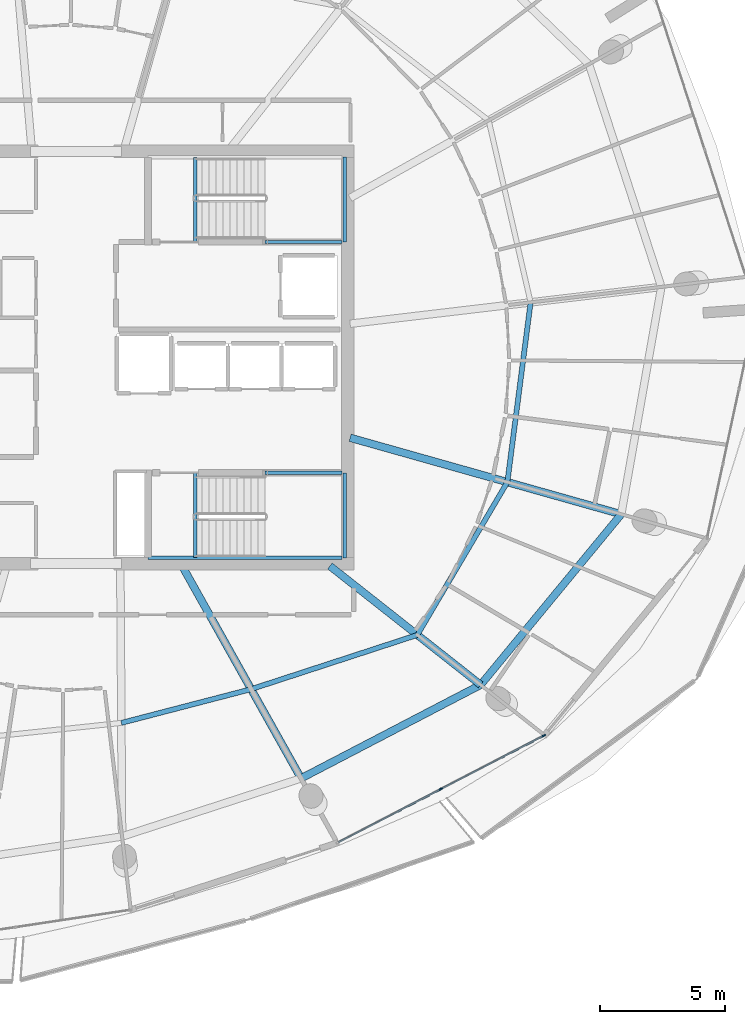
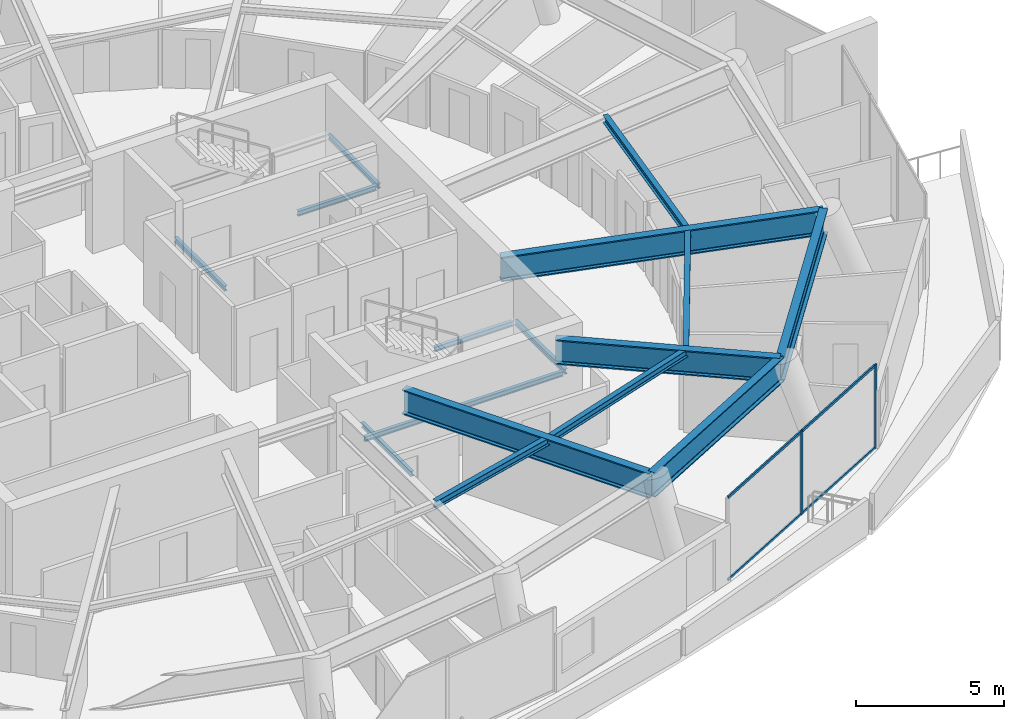
# One storey, part 8 of 24: 16 beams, 6 members, 1 element without a shape of its own.
"""IFC4 building model written with IfcOpenShell, lengths in metres."""

import ifcopenshell
import ifcopenshell.guid

model = None  # the IFC model being written
_history = None  # IfcOwnerHistory: only IFC2X3 demands one
_inside = {}  # id of a spatial element -> (the spatial element, [elements in it])
_under = {}  # id of a project, library or spatial element -> (it, [spatial elements below it])
_declared = {}  # id of a project -> (the project, [libraries it declares])
_typed = {}  # id of a type object -> (the type object, [elements of that type])
_made_of = {}  # id of a material, layer set ... -> (it, [elements and type objects made of it])


def new_model(schema):
    """Start an empty IFC model of exactly this schema.

    Asked for "IFC4X3", IfcOpenShell would pick the latest addendum, in which some entities
    have other attributes; the version numbers below select the first issue.
    IFC2X3 requires an IfcOwnerHistory on every rooted entity: one is made here for all.
    """
    global model, _history
    if schema == "IFC4X3":
        model = ifcopenshell.file(schema_version=(4, 3, 0, 0))
    else:
        model = ifcopenshell.file(schema=schema)
    _inside.clear()
    _under.clear()
    _declared.clear()
    _typed.clear()
    _made_of.clear()
    _history = None
    if model.schema == "IFC2X3":
        org = make("IfcOrganization", Name="unknown")
        user = make(
            "IfcPersonAndOrganization",
            ThePerson=make("IfcPerson", FamilyName="unknown"),
            TheOrganization=org,
        )
        app = make(
            "IfcApplication",
            ApplicationDeveloper=org,
            Version="unknown",
            ApplicationFullName="unknown",
            ApplicationIdentifier="unknown",
        )
        _history = make(
            "IfcOwnerHistory",
            OwningUser=user,
            OwningApplication=app,
            ChangeAction="ADDED",
            CreationDate=0,
        )
    return model


def make(cls, **values):
    """One entity of the class cls with the attributes given. An attribute that is None is left unset."""
    return model.create_entity(
        cls, **{name: value for name, value in values.items() if value is not None}
    )


def rooted(cls, **values):
    """An entity with a GlobalId (a new one), such as an element, a storey or a relation."""
    return make(cls, GlobalId=ifcopenshell.guid.new(), OwnerHistory=_history, **values)


def si_unit(unit_type, name, prefix=None):
    """IfcSIUnit, for example si_unit("LENGTHUNIT", "METRE", prefix="MILLI")."""
    return make("IfcSIUnit", UnitType=unit_type, Prefix=prefix, Name=name)


def assignment(units):
    """IfcUnitAssignment: the units of a project."""
    return None if units is None else make("IfcUnitAssignment", Units=units)


def point(xyz):
    """IfcCartesianPoint."""
    return None if xyz is None else make("IfcCartesianPoint", Coordinates=xyz)


def direction(xyz):
    """IfcDirection."""
    return None if xyz is None else make("IfcDirection", DirectionRatios=xyz)


def frame(location, z_axis=None, x_axis=None):
    """IfcAxis2Placement3D, a coordinate frame: its origin and axes. An axis left out is left unset."""
    return make(
        "IfcAxis2Placement3D",
        Location=point(location),
        Axis=direction(z_axis),
        RefDirection=direction(x_axis),
    )


def frame_2d(location, x_axis=None):
    """IfcAxis2Placement2D, a coordinate frame in the plane: its origin and x axis."""
    return make(
        "IfcAxis2Placement2D", Location=point(location), RefDirection=direction(x_axis)
    )


def origin():
    """The frame at (0, 0, 0) with its axes left unset."""
    return frame((0.0, 0.0, 0.0))


def origin_2d():
    """The frame at (0, 0) in the plane with its x axis left unset."""
    return frame_2d((0.0, 0.0))


def place(relative_to, where):
    """IfcLocalPlacement: puts the frame where relative to a parent placement (None: the world)."""
    return make(
        "IfcLocalPlacement", PlacementRelTo=relative_to, RelativePlacement=where
    )


def context(
    kind, dimensions, precision=None, world=None, true_north=None, identifier=None
):
    """IfcGeometricRepresentationContext, for example the 3D "Model" context."""
    return make(
        "IfcGeometricRepresentationContext",
        ContextIdentifier=identifier,
        ContextType=kind,
        CoordinateSpaceDimension=dimensions,
        Precision=precision,
        WorldCoordinateSystem=world,
        TrueNorth=true_north,
    )


def subcontext(parent, identifier, kind, view, scale=None):
    """IfcGeometricRepresentationSubContext, for example "Body" below "Model"."""
    return make(
        "IfcGeometricRepresentationSubContext",
        ContextIdentifier=identifier,
        ContextType=kind,
        ParentContext=parent,
        TargetScale=scale,
        TargetView=view,
    )


def project(units=None, contexts=None):
    """IfcProject with its units and contexts."""
    return rooted(
        "IfcProject",
        Name="project",
        RepresentationContexts=contexts,
        UnitsInContext=assignment(units),
    )


def spatial(cls, under=None, at=None, **own):
    """A site, building, storey or space (cls), placed at a placement, below another one or the project."""
    s = rooted(cls, ObjectPlacement=at, **own)
    if under is not None:
        _under.setdefault(under.id(), (under, []))[1].append(s)
    return s


def profile(cls, at=None, kind="AREA", **sizes):
    """A parametric profile (cls). Its sizes go by their IFC names, for example OverallWidth=200.0."""
    return make(cls, ProfileType=kind, Position=at, **sizes)


def rectangle(**sizes):
    """IfcRectangleProfileDef."""
    return profile("IfcRectangleProfileDef", **sizes)


def i_section(**sizes):
    """IfcIShapeProfileDef."""
    return profile("IfcIShapeProfileDef", **sizes)


def extrude(swept, where, along, depth):
    """IfcExtrudedAreaSolid: the profile swept, set in the frame where, extruded along a direction by depth."""
    return make(
        "IfcExtrudedAreaSolid",
        SweptArea=swept,
        Position=where,
        ExtrudedDirection=direction(along),
        Depth=depth,
    )


def shape(context_of_items, identifier, shape_type, items):
    """IfcShapeRepresentation: the items that make up one representation, for example the "Body"."""
    return make(
        "IfcShapeRepresentation",
        ContextOfItems=context_of_items,
        RepresentationIdentifier=identifier,
        RepresentationType=shape_type,
        Items=items,
    )


def material(Name=None, Category=None):
    """IfcMaterial."""
    return make("IfcMaterial", Name=Name, Category=Category)


def layer(
    of_material, thickness, ventilated=None, Name=None, Category=None, Priority=None
):
    """IfcMaterialLayer: one layer of a wall or slab, of a material (None: an air gap)."""
    return make(
        "IfcMaterialLayer",
        Material=of_material,
        LayerThickness=thickness,
        IsVentilated=ventilated,
        Name=Name,
        Category=Category,
        Priority=Priority,
    )


def layer_set(layers, Name=None):
    """IfcMaterialLayerSet."""
    return make("IfcMaterialLayerSet", MaterialLayers=layers, LayerSetName=Name)


def material_profile(
    of_material, cross_section, Name=None, Category=None, Priority=None
):
    """IfcMaterialProfile: a cross section and its material."""
    return make(
        "IfcMaterialProfile",
        Name=Name,
        Material=of_material,
        Profile=cross_section,
        Priority=Priority,
        Category=Category,
    )


def profile_set(profiles, Name=None, composite=None):
    """IfcMaterialProfileSet."""
    return make(
        "IfcMaterialProfileSet",
        Name=Name,
        MaterialProfiles=profiles,
        CompositeProfile=composite,
    )


def made_of(thing, what):
    """Note that an element or type object is made of a material, layer set ...; save() writes the relation."""
    if what is not None:
        _made_of.setdefault(what.id(), (what, []))[1].append(thing)
    return thing


def type_object(cls, material=None, **own):
    """A type object (cls), such as IfcWallType, which elements share."""
    return made_of(rooted(cls, **own), material)


def element(
    cls,
    number,
    at=None,
    inside=None,
    cuts=None,
    type_object=None,
    material=None,
    context=None,
    identifier="Body",
    shape_type=None,
    held_by="IfcProductDefinitionShape",
    body=None,
    shapes=None,
    **own,
):
    """One element of the class cls, such as IfcWall. Its Tag is "e" and its number.

    at: its placement. inside: the storey or other place that contains it. cuts: it is an
    opening in that element (IfcRelVoidsElement). A single representation is given by context,
    identifier, shape_type and body (its items); several are given by shapes. held_by: the class
    of the entity that holds the representations. save() writes the other relations.
    """
    e = rooted(cls, Tag="e%d" % number, ObjectPlacement=at, **own)
    if body is not None:
        shapes = [shape(context, identifier, shape_type, body)]
    if shapes is not None:
        e.Representation = make(held_by, Representations=shapes)
    if inside is not None:
        _inside.setdefault(inside.id(), (inside, []))[1].append(e)
    if cuts is not None:
        rooted(
            "IfcRelVoidsElement", RelatingBuildingElement=cuts, RelatedOpeningElement=e
        )
    if type_object is not None:
        _typed.setdefault(type_object.id(), (type_object, []))[1].append(e)
    return made_of(e, material)


def aggregate(whole, parts):
    """IfcRelAggregates: a whole, such as a stair, and the parts it consists of."""
    return rooted("IfcRelAggregates", RelatingObject=whole, RelatedObjects=parts)


def save(model, path):
    """Write the relations noted so far, then the file.

    IfcRelAggregates (storeys below a building ...), IfcRelContainedInSpatialStructure (elements
    in a storey), IfcRelDefinesByType, IfcRelAssociatesMaterial and IfcRelDeclares: one each for
    every whole, place, type object, material and project.
    """
    for whole, parts in _under.values():
        aggregate(whole, parts)
    for where, things in _inside.values():
        rooted(
            "IfcRelContainedInSpatialStructure",
            RelatedElements=things,
            RelatingStructure=where,
        )
    for kind, things in _typed.values():
        rooted("IfcRelDefinesByType", RelatedObjects=things, RelatingType=kind)
    for what, things in _made_of.values():
        rooted("IfcRelAssociatesMaterial", RelatedObjects=things, RelatingMaterial=what)
    for by, libraries in _declared.values():
        rooted("IfcRelDeclares", RelatingContext=by, RelatedDefinitions=libraries)
    model.write(path)


model = new_model("IFC4")

# Units and contexts
model_context = context("Model", 3, precision=1e-05, world=origin(), true_north=direction((0.0, 1.0)))
body_context = subcontext(model_context, "Body", "Model", "MODEL_VIEW")
ifc_project = project(units=[si_unit("LENGTHUNIT", "METRE"), si_unit("AREAUNIT", "SQUARE_METRE"), si_unit("VOLUMEUNIT", "CUBIC_METRE"), si_unit("PLANEANGLEUNIT", "RADIAN"), si_unit("MASSUNIT", "GRAM", prefix="KILO")], contexts=[model_context])

# Site, building, storey
site_placement = place(None, origin())
site = spatial("IfcSite", under=ifc_project, at=site_placement, CompositionType="ELEMENT")
building_placement = place(site_placement, origin())
building = spatial("IfcBuilding", under=site, at=building_placement, Name="Kazma Halo Residences", CompositionType="ELEMENT")
storey_placement = place(building_placement, frame((0.0, 0.0, 309.85009765625)))
storey = spatial("IfcBuildingStorey", under=building, at=storey_placement, Name="L78", CompositionType="ELEMENT", Elevation=309.85009765625)

# Beams
ifc_material_1 = material(Name="Steel S355", Category="steel")
ifc_material_profile_1 = material_profile(ifc_material_1, i_section(OverallWidth=0.202880859375, OverallDepth=0.302978515625, WebThickness=0.007568359375, FlangeThickness=0.01318359375, FilletRadius=0.013916015625, at=origin_2d()), Name="W310x60")
ifc_profile_set_1 = profile_set([ifc_material_profile_1], Name="Steel S355")
beam_type_1 = type_object("IfcBeamType", Name="BM-SEC-W310A", PredefinedType="JOIST", material=ifc_profile_set_1)
beam_1_placement = place(storey_placement, frame((50.240478515625, 27.368896484375, 3.29833984375), z_axis=(0.967848634623, 0.251533338661, 0.0), x_axis=(-0.251533338661, 0.967848634623, 0.0)))
element("IfcBeam", 1, at=beam_1_placement, inside=storey, type_object=beam_type_1, Name="L78 circumferential floor joist 12", PredefinedType="JOIST", context=body_context, shape_type="SweptSolid", body=[
    extrude(i_section(OverallWidth=0.202880859375, OverallDepth=0.302978515625, WebThickness=0.007568359375, FlangeThickness=0.01318359375, FilletRadius=0.013916015625, at=origin_2d()), origin(), (0.0, 0.0, 1.0), 5.369384765625),
])
beam_2_placement = place(storey_placement, frame((55.437255859375, 28.719482421875, 3.29833984375), z_axis=(0.950669705102, 0.310204951285, 0.0), x_axis=(-0.310204951285, 0.950669705102, 0.0)))
element("IfcBeam", 2, at=beam_2_placement, inside=storey, type_object=beam_type_1, Name="L78 circumferential floor joist 13", PredefinedType="JOIST", context=body_context, shape_type="SweptSolid", body=[
    extrude(i_section(OverallWidth=0.202880859375, OverallDepth=0.302978515625, WebThickness=0.007568359375, FlangeThickness=0.01318359375, FilletRadius=0.013916015625, at=origin_2d()), origin(), (0.0, 0.0, 1.0), 6.999755859375),
])
beam_3_placement = place(storey_placement, frame((62.091796875, 30.890869140625, 3.29833984375), z_axis=(0.507587951178, 0.861599948827, 0.0), x_axis=(-0.861599948827, 0.507587951178, 0.0)))
element("IfcBeam", 3, at=beam_3_placement, inside=storey, type_object=beam_type_1, Name="L78 circumferential floor joist 14", PredefinedType="JOIST", context=body_context, shape_type="SweptSolid", body=[
    extrude(i_section(OverallWidth=0.202880859375, OverallDepth=0.302978515625, WebThickness=0.007568359375, FlangeThickness=0.01318359375, FilletRadius=0.013916015625, at=origin_2d()), origin(), (0.0, 0.0, 1.0), 7.101318359375),
])
beam_4_placement = place(storey_placement, frame((65.6962890625, 37.00927734375, 3.29833984375), z_axis=(0.128274562315, 0.991738693741, 0.0), x_axis=(-0.991738693741, 0.128274562315, 0.0)))
element("IfcBeam", 4, at=beam_4_placement, inside=storey, type_object=beam_type_1, Name="L78 circumferential floor joist 15", PredefinedType="JOIST", context=body_context, shape_type="SweptSolid", body=[
    extrude(i_section(OverallWidth=0.202880859375, OverallDepth=0.302978515625, WebThickness=0.007568359375, FlangeThickness=0.01318359375, FilletRadius=0.013916015625, at=origin_2d()), origin(), (0.0, 0.0, 1.0), 7.25537109375),
])
ifc_material_profile_2 = material_profile(ifc_material_1, i_section(OverallWidth=0.302001953125, OverallDepth=1.01806640625, WebThickness=0.021484375, FlangeThickness=0.049072265625, FilletRadius=0.028076171875, at=origin_2d()), Name="W1000x443")
ifc_profile_set_2 = profile_set([ifc_material_profile_2], Name="Steel S355")
beam_type_2 = type_object("IfcBeamType", Name="BM-TRANS-W1000A", PredefinedType="BEAM", material=ifc_profile_set_2)
beam_5_placement = place(storey_placement, frame((52.67626953125, 33.64990234375, 2.94091796875), z_axis=(0.488620919127, -0.872496187608, 0.0), x_axis=(0.872496187608, 0.488620919127, 0.0)))
element("IfcBeam", 5, at=beam_5_placement, inside=storey, type_object=beam_type_2, Name="L78 podium radial transfer girder 13", PredefinedType="BEAM", context=body_context, shape_type="SweptSolid", body=[
    extrude(i_section(OverallWidth=0.302001953125, OverallDepth=1.01806640625, WebThickness=0.021484375, FlangeThickness=0.049072265625, FilletRadius=0.028076171875, at=origin_2d()), origin(), (0.0, 0.0, 1.0), 9.74267578125),
])
beam_6_placement = place(storey_placement, frame((58.591796875, 33.64990234375, 2.94091796875), z_axis=(0.785337192403, -0.619068246826, 0.0), x_axis=(0.619068246826, 0.785337192403, 0.0)))
element("IfcBeam", 6, at=beam_6_placement, inside=storey, type_object=beam_type_2, Name="L78 podium radial transfer girder 14", PredefinedType="BEAM", context=body_context, shape_type="SweptSolid", body=[
    extrude(i_section(OverallWidth=0.302001953125, OverallDepth=1.01806640625, WebThickness=0.021484375, FlangeThickness=0.049072265625, FilletRadius=0.028076171875, at=origin_2d()), origin(), (0.0, 0.0, 1.0), 7.683837890625),
])
beam_7_placement = place(storey_placement, frame((59.39990234375, 38.784912109375, 2.94091796875), z_axis=(0.962457650844, -0.271431888937, 0.0), x_axis=(0.271431888937, 0.962457650844, 0.0)))
element("IfcBeam", 7, at=beam_7_placement, inside=storey, type_object=beam_type_2, Name="L78 podium radial transfer girder 15", PredefinedType="BEAM", context=body_context, shape_type="SweptSolid", body=[
    extrude(i_section(OverallWidth=0.302001953125, OverallDepth=1.01806640625, WebThickness=0.021484375, FlangeThickness=0.049072265625, FilletRadius=0.028076171875, at=origin_2d()), origin(), (0.0, 0.0, 1.0), 11.279052734375),
])
ifc_material_profile_3 = material_profile(ifc_material_1, i_section(OverallWidth=0.300048828125, OverallDepth=1.0, WebThickness=0.01904296875, FlangeThickness=0.0400390625, FilletRadius=0.02587890625, at=origin_2d()), Name="W1000x371")
ifc_profile_set_3 = profile_set([ifc_material_profile_3], Name="Steel S355")
beam_type_3 = type_object("IfcBeamType", Name="BM-TRANS-W1000B", PredefinedType="BEAM", material=ifc_profile_set_3)
beam_8_placement = place(storey_placement, frame((57.436767578125, 25.1494140625, 2.949951171875), z_axis=(0.886957269655, 0.461851493238, 0.0), x_axis=(-0.461851493238, 0.886957269655, 0.0)))
element("IfcBeam", 8, at=beam_8_placement, inside=storey, type_object=beam_type_3, Name="L78 perimeter ring beam 13", PredefinedType="BEAM", context=body_context, shape_type="SweptSolid", body=[
    extrude(i_section(OverallWidth=0.300048828125, OverallDepth=1.0, WebThickness=0.01904296875, FlangeThickness=0.0400390625, FilletRadius=0.02587890625, at=origin_2d()), origin(), (0.0, 0.0, 1.0), 8.105712890625),
])
beam_9_placement = place(storey_placement, frame((64.626220703125, 28.89306640625, 2.949951171875), z_axis=(0.636004986424, 0.771684946881, 0.0), x_axis=(-0.771684946881, 0.636004986424, 0.0)))
element("IfcBeam", 9, at=beam_9_placement, inside=storey, type_object=beam_type_3, Name="L78 perimeter ring beam 14", PredefinedType="BEAM", context=body_context, shape_type="SweptSolid", body=[
    extrude(i_section(OverallWidth=0.300048828125, OverallDepth=1.0, WebThickness=0.01904296875, FlangeThickness=0.0400390625, FilletRadius=0.02587890625, at=origin_2d()), origin(), (0.0, 0.0, 1.0), 8.85107421875),
])
ifc_material_profile_4 = material_profile(ifc_material_1, i_section(OverallWidth=0.133056640625, OverallDepth=0.20703125, WebThickness=0.005859375, FlangeThickness=0.00830078125, FilletRadius=0.010009765625, at=origin_2d()), Name="W200x26.6")
ifc_profile_set_4 = profile_set([ifc_material_profile_4], Name="Steel S355")
beam_type_4 = type_object("IfcBeamType", Name="BM-TRIM-W200", PredefinedType="BEAM", material=ifc_profile_set_4)
for number, where, z_axis, x_axis, name in (
    (10, (53.199951171875, 46.6201171875, -0.510009765625), (0.0, 1.0, 0.0), (-1.0, 0.0, 0.0), "L78 ST-02 floor landing support beam"),
    (11, (53.199951171875, 34.0, -0.510009765625), (0.0, 1.0, 0.0), (-1.0, 0.0, 0.0), "L78 ST-03 floor landing support beam"),
):
    element("IfcBeam", number, at=place(storey_placement, frame(where, z_axis=z_axis, x_axis=x_axis)), inside=storey, type_object=beam_type_4, Name=name, PredefinedType="BEAM", context=body_context, shape_type="SweptSolid", body=[
        extrude(i_section(OverallWidth=0.133056640625, OverallDepth=0.20703125, WebThickness=0.005859375, FlangeThickness=0.00830078125, FilletRadius=0.010009765625, at=origin_2d()), origin(), (0.0, 0.0, 1.0), 3.3798828125),
    ])
beam_10_placement = place(storey_placement, frame((56.0, 46.6201171875, 1.619873046875), z_axis=(1.0, 0.0, 0.0), x_axis=(0.0, 1.0, 0.0)))
element("IfcBeam", 12, at=beam_10_placement, inside=storey, type_object=beam_type_4, Name="L78 ST-02 landing south wall ledger", PredefinedType="BEAM", context=body_context, shape_type="SweptSolid", body=[
    extrude(i_section(OverallWidth=0.133056640625, OverallDepth=0.20703125, WebThickness=0.005859375, FlangeThickness=0.00830078125, FilletRadius=0.010009765625, at=origin_2d()), origin(), (0.0, 0.0, 1.0), 3.070068359375),
])
beam_11_placement = place(storey_placement, frame((59.18994140625, 46.6201171875, 1.619873046875), z_axis=(0.0, 1.0, 0.0), x_axis=(-1.0, 0.0, 0.0)))
element("IfcBeam", 13, at=beam_11_placement, inside=storey, type_object=beam_type_4, Name="L78 ST-02 landing end wall ledger", PredefinedType="BEAM", context=body_context, shape_type="SweptSolid", body=[
    extrude(i_section(OverallWidth=0.133056640625, OverallDepth=0.20703125, WebThickness=0.005859375, FlangeThickness=0.00830078125, FilletRadius=0.010009765625, at=origin_2d()), origin(), (0.0, 0.0, 1.0), 3.39990234375),
])
beam_12_placement = place(storey_placement, frame((51.31005859375, 33.97998046875, 1.619873046875), z_axis=(1.0, 0.0, 0.0), x_axis=(0.0, 1.0, 0.0)))
element("IfcBeam", 14, at=beam_12_placement, inside=storey, type_object=beam_type_4, Name="L78 ST-03 landing south wall ledger", PredefinedType="BEAM", context=body_context, shape_type="SweptSolid", body=[
    extrude(i_section(OverallWidth=0.133056640625, OverallDepth=0.20703125, WebThickness=0.005859375, FlangeThickness=0.00830078125, FilletRadius=0.010009765625, at=origin_2d()), origin(), (0.0, 0.0, 1.0), 7.760009765625),
])
beam_13_placement = place(storey_placement, frame((56.0, 37.3798828125, 1.619873046875), z_axis=(1.0, 0.0, 0.0), x_axis=(0.0, 1.0, 0.0)))
element("IfcBeam", 15, at=beam_13_placement, inside=storey, type_object=beam_type_4, Name="L78 ST-03 landing north wall ledger", PredefinedType="BEAM", context=body_context, shape_type="SweptSolid", body=[
    extrude(i_section(OverallWidth=0.133056640625, OverallDepth=0.20703125, WebThickness=0.005859375, FlangeThickness=0.00830078125, FilletRadius=0.010009765625, at=origin_2d()), origin(), (0.0, 0.0, 1.0), 3.070068359375),
])
beam_14_placement = place(storey_placement, frame((59.18994140625, 33.97998046875, 1.619873046875), z_axis=(0.0, 1.0, 0.0), x_axis=(-1.0, 0.0, 0.0)))
element("IfcBeam", 16, at=beam_14_placement, inside=storey, type_object=beam_type_4, Name="L78 ST-03 landing end wall ledger", PredefinedType="BEAM", context=body_context, shape_type="SweptSolid", body=[
    extrude(i_section(OverallWidth=0.133056640625, OverallDepth=0.20703125, WebThickness=0.005859375, FlangeThickness=0.00830078125, FilletRadius=0.010009765625, at=origin_2d()), origin(), (0.0, 0.0, 1.0), 3.39990234375),
])

# Curtain wall, members
ifc_material_2 = material(Name="Aluminium AW-6063 T6 and Triple-Silver Low-E Glass", Category="aluminium")
ifc_layer = layer(ifc_material_2, 0.139892578125)
ifc_layer_set = layer_set([ifc_layer], Name="Aluminium AW-6063 T6 and Triple-Silver Low-E Glass")
curtain_wall_type = type_object("IfcCurtainWallType", Name="CW-SYS-5", PredefinedType="NOTDEFINED", material=ifc_layer_set)
curtain_wall_placement = place(storey_placement, origin())
curtain_wall = element("IfcCurtainWall", 17, at=curtain_wall_placement, inside=storey, type_object=curtain_wall_type, Name="L78 unitised curtain wall B13", PredefinedType="NOTDEFINED")
ifc_material_3 = material(Name="Aluminium AW-6063 T6", Category="aluminium")
ifc_material_profile_5 = material_profile(ifc_material_3, rectangle(XDim=0.06005859375, YDim=0.139892578125, at=origin_2d()), Name="CWM-60x140")
ifc_profile_set_5 = profile_set([ifc_material_profile_5], Name="Aluminium AW-6063 T6")
member_type_1 = type_object("IfcMemberType", Name="CW-SYS-5-MUL", PredefinedType="MULLION", material=ifc_profile_set_5)
member_1_placement = place(storey_placement, frame((63.033935546875, 24.720947265625, 0.0), z_axis=(0.0, 0.0, 1.0), x_axis=(-0.460859157438, 0.887473288052, 0.0)))
member_1 = element("IfcMember", 18, at=member_1_placement, type_object=member_type_1, Name="CWS-5 mullion 2", PredefinedType="MULLION", context=body_context, shape_type="SweptSolid", body=[
    extrude(rectangle(XDim=0.06005859375, YDim=0.139892578125, at=origin_2d()), origin(), (0.0, 0.0, 1.0), 3.449951171875),
])
member_2_placement = place(storey_placement, frame((67.15771484375, 26.8623046875, 0.0), z_axis=(0.0, 0.0, 1.0), x_axis=(-0.460859157438, 0.887473288052, 0.0)))
member_2 = element("IfcMember", 19, at=member_2_placement, type_object=member_type_1, Name="CWS-5 mullion 3", PredefinedType="MULLION", context=body_context, shape_type="SweptSolid", body=[
    extrude(rectangle(XDim=0.06005859375, YDim=0.139892578125, at=origin_2d()), origin(), (0.0, 0.0, 1.0), 3.449951171875),
])
ifc_material_profile_6 = material_profile(ifc_material_3, rectangle(XDim=0.06005859375, YDim=0.10498046875, at=origin_2d()), Name="CWT-60x105")
ifc_profile_set_6 = profile_set([ifc_material_profile_6], Name="Aluminium AW-6063 T6")
member_type_2 = type_object("IfcMemberType", Name="CW-SYS-5-TRN", PredefinedType="USERDEFINED", material=ifc_profile_set_6)
member_3_placement = place(storey_placement, frame((58.93701171875, 22.59326171875, 0.02978515625), z_axis=(0.887465931905, 0.460873322843, 0.0), x_axis=(-0.460873322843, 0.887465931905, 0.0)))
member_3 = element("IfcMember", 20, at=member_3_placement, type_object=member_type_2, Name="CWS-5 transom 1.1", ObjectType="TRANSOM", PredefinedType="USERDEFINED", context=body_context, shape_type="SweptSolid", body=[
    extrude(rectangle(XDim=0.06005859375, YDim=0.10498046875, at=origin_2d()), origin(), (0.0, 0.0, 1.0), 4.58642578125),
])
member_4_placement = place(storey_placement, frame((58.93701171875, 22.59326171875, 3.419921875), z_axis=(0.887465931905, 0.460873322843, 0.0), x_axis=(-0.460873322843, 0.887465931905, 0.0)))
member_4 = element("IfcMember", 21, at=member_4_placement, type_object=member_type_2, Name="CWS-5 transom 1.2", ObjectType="TRANSOM", PredefinedType="USERDEFINED", context=body_context, shape_type="SweptSolid", body=[
    extrude(rectangle(XDim=0.06005859375, YDim=0.10498046875, at=origin_2d()), origin(), (0.0, 0.0, 1.0), 4.58642578125),
])
member_5_placement = place(storey_placement, frame((63.060791015625, 24.73486328125, 0.02978515625), z_axis=(0.887465931905, 0.460873322843, 0.0), x_axis=(-0.460873322843, 0.887465931905, 0.0)))
member_5 = element("IfcMember", 22, at=member_5_placement, type_object=member_type_2, Name="CWS-5 transom 2.1", ObjectType="TRANSOM", PredefinedType="USERDEFINED", context=body_context, shape_type="SweptSolid", body=[
    extrude(rectangle(XDim=0.06005859375, YDim=0.10498046875, at=origin_2d()), origin(), (0.0, 0.0, 1.0), 4.58642578125),
])
member_6_placement = place(storey_placement, frame((63.060791015625, 24.73486328125, 3.419921875), z_axis=(0.887465931905, 0.460873322843, 0.0), x_axis=(-0.460873322843, 0.887465931905, 0.0)))
member_6 = element("IfcMember", 23, at=member_6_placement, type_object=member_type_2, Name="CWS-5 transom 2.2", ObjectType="TRANSOM", PredefinedType="USERDEFINED", context=body_context, shape_type="SweptSolid", body=[
    extrude(rectangle(XDim=0.06005859375, YDim=0.10498046875, at=origin_2d()), origin(), (0.0, 0.0, 1.0), 4.58642578125),
])
aggregate(curtain_wall, [member_1, member_2, member_3, member_4, member_5, member_6])

save(model, "model.ifc")
